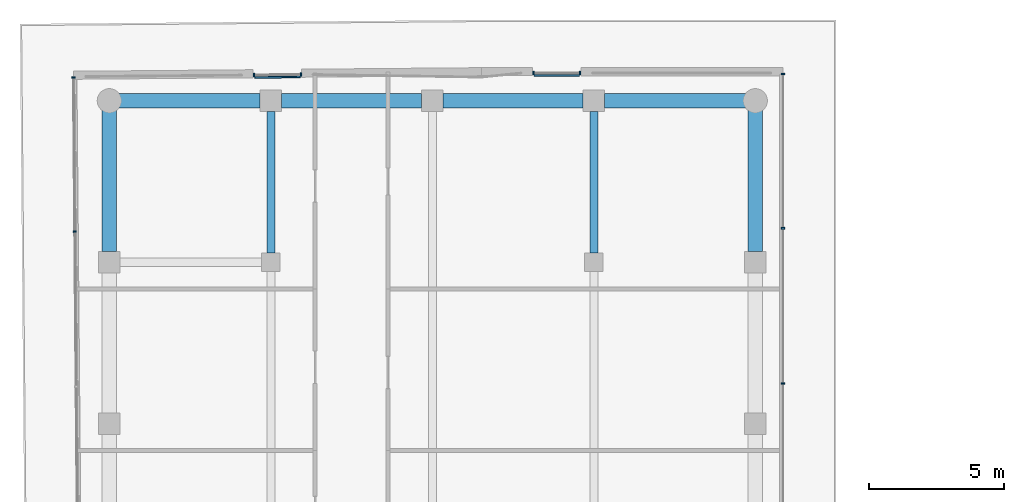
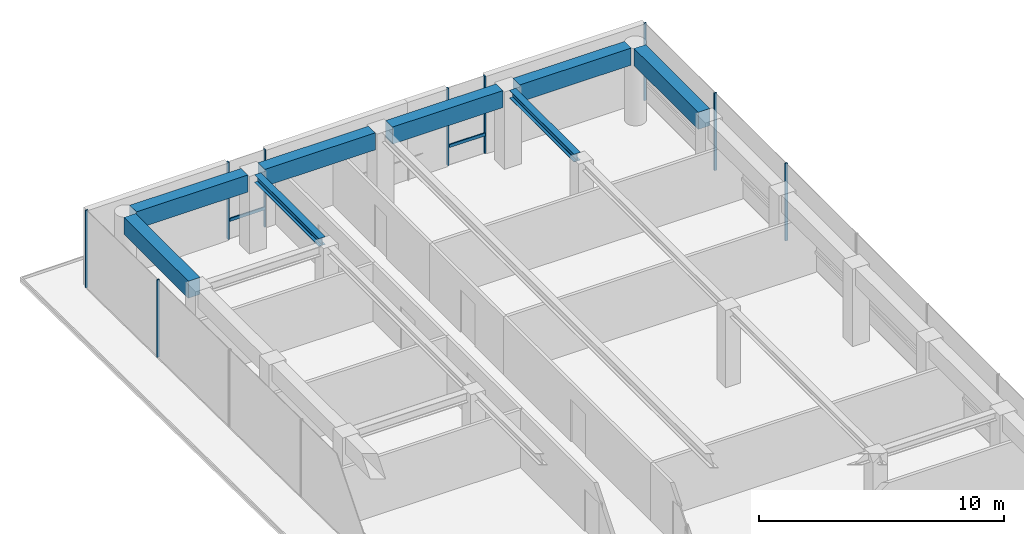
# One storey, part 12 of 19: 11 members, 8 beams, 4 elements without a shape of their own.
"""IFC4 building model written with IfcOpenShell, lengths in metres."""

from ifc_helpers import new_model, si_unit, direction, frame, origin, origin_2d, place, context, subcontext, project, spatial, rectangle, i_section, extrude, material, layer, layer_set, material_profile, profile_set, type_object, element, aggregate, save


model = new_model("IFC4")

# Units and contexts
model_context = context("Model", 3, precision=1e-05, world=origin(), true_north=direction((0.0, 1.0)))
body_context = subcontext(model_context, "Body", "Model", "MODEL_VIEW")
ifc_project = project(units=[si_unit("LENGTHUNIT", "METRE"), si_unit("AREAUNIT", "SQUARE_METRE"), si_unit("VOLUMEUNIT", "CUBIC_METRE"), si_unit("PLANEANGLEUNIT", "RADIAN"), si_unit("MASSUNIT", "GRAM", prefix="KILO")], contexts=[model_context])

# Site, building, storey
site_placement = place(None, origin())
site = spatial("IfcSite", under=ifc_project, at=site_placement, CompositionType="ELEMENT")
building_placement = place(site_placement, origin())
building = spatial("IfcBuilding", under=site, at=building_placement, Name="Welwitschia Terrace Campus", CompositionType="ELEMENT")
storey_placement = place(building_placement, frame((0.0, 0.0, 226.39990234375)))
storey = spatial("IfcBuildingStorey", under=building, at=storey_placement, Name="L50", CompositionType="ELEMENT", Elevation=226.39990234375)

# Beams
ifc_material_1 = material(Name="Steel S355", Category="steel")
ifc_material_profile_1 = material_profile(ifc_material_1, i_section(OverallWidth=0.300048828125, OverallDepth=0.389892578125, WebThickness=0.010986328125, FlangeThickness=0.01904296875, FilletRadius=0.027099609375, at=origin_2d()))
ifc_profile_set_1 = profile_set([ifc_material_profile_1], Name="Steel S355")
beam_type_1 = type_object("IfcBeamType", Name="Interior girder HE 400 A", PredefinedType="BEAM", material=ifc_profile_set_1)
for number, where, z_axis, x_axis, name in (
    (1, (6.0, 64.3505859375, 3.655029296875), (0.0, 1.0, 0.0), (-1.0, 0.0, 0.0), "Girder GB5"),
    (2, (18.0, 64.3505859375, 3.655029296875), (0.0, 1.0, 0.0), (-1.0, 0.0, 0.0), "Girder GB5"),
):
    element("IfcBeam", number, at=place(storey_placement, frame(where, z_axis=z_axis, x_axis=x_axis)), inside=storey, type_object=beam_type_1, Name=name, PredefinedType="BEAM", context=body_context, shape_type="SweptSolid", body=[
        extrude(i_section(OverallWidth=0.300048828125, OverallDepth=0.389892578125, WebThickness=0.010986328125, FlangeThickness=0.01904296875, FilletRadius=0.027099609375, at=origin_2d()), origin(), (0.0, 0.0, 1.0), 5.259033203125),
    ])

# Curtain wall, members
ifc_material_2 = material(Name="Bronze anodised aluminium", Category="aluminium")
ifc_layer = layer(ifc_material_2, 0.1201171875)
ifc_layer_set = layer_set([ifc_layer], Name="Bronze anodised aluminium")
curtain_wall_type = type_object("IfcCurtainWallType", Name="Curtain wall CW2 tower 6000", PredefinedType="NOTDEFINED", material=ifc_layer_set)
curtain_wall_1_placement = place(storey_placement, origin())
curtain_wall_1 = element("IfcCurtainWall", 3, at=curtain_wall_1_placement, inside=storey, type_object=curtain_wall_type, Name="CW L50.0.0", PredefinedType="NOTDEFINED")
ifc_material_3 = material(Name="Bronze anodised aluminium", Category="aluminium")
ifc_material_profile_2 = material_profile(ifc_material_3, rectangle(XDim=0.1201171875, YDim=0.06005859375, at=origin_2d()))
ifc_profile_set_2 = profile_set([ifc_material_profile_2], Name="Bronze anodised aluminium")
member_type_1 = type_object("IfcMemberType", Name="Mullion 60x120", PredefinedType="MULLION", material=ifc_profile_set_2)
member_1_placement = place(storey_placement, frame((-1.33154296875, 70.86767578125, 0.0), z_axis=(0.0, 0.0, 1.0), x_axis=(0.999961923064, 0.008726535498, 0.0)))
member_1 = element("IfcMember", 4, at=member_1_placement, type_object=member_type_1, Name="Mullion L50.0.0.0", PredefinedType="MULLION", context=body_context, shape_type="SweptSolid", body=[
    extrude(rectangle(XDim=0.1201171875, YDim=0.06005859375, at=origin_2d()), origin(), (0.0, 0.0, 1.0), 3.85009765625),
])
member_2_placement = place(storey_placement, frame((-1.281494140625, 65.13525390625, 0.0), z_axis=(0.0, 0.0, 1.0), x_axis=(0.999961923064, 0.008726535498, 0.0)))
member_2 = element("IfcMember", 5, at=member_2_placement, type_object=member_type_1, Name="Mullion L50.0.0.1", PredefinedType="MULLION", context=body_context, shape_type="SweptSolid", body=[
    extrude(rectangle(XDim=0.1201171875, YDim=0.06005859375, at=origin_2d()), origin(), (0.0, 0.0, 1.0), 3.85009765625),
])
aggregate(curtain_wall_1, [member_1, member_2])

curtain_wall_2_placement = place(storey_placement, origin())
curtain_wall_2 = element("IfcCurtainWall", 6, at=curtain_wall_2_placement, inside=storey, type_object=curtain_wall_type, Name="CW L50.9.0", PredefinedType="NOTDEFINED")
member_3_placement = place(storey_placement, frame((25.030029296875, 59.498779296875, 0.0), z_axis=(0.0, 0.0, 1.0), x_axis=(-1.0, 0.0, 0.0)))
member_3 = element("IfcMember", 7, at=member_3_placement, type_object=member_type_1, Name="Mullion L50.9.0.4", PredefinedType="MULLION", context=body_context, shape_type="SweptSolid", body=[
    extrude(rectangle(XDim=0.1201171875, YDim=0.06005859375, at=origin_2d()), origin(), (0.0, 0.0, 1.0), 3.85009765625),
])
member_4_placement = place(storey_placement, frame((25.030029296875, 65.264404296875, 0.0), z_axis=(0.0, 0.0, 1.0), x_axis=(-1.0, 0.0, 0.0)))
member_4 = element("IfcMember", 8, at=member_4_placement, type_object=member_type_1, Name="Mullion L50.9.0.5", PredefinedType="MULLION", context=body_context, shape_type="SweptSolid", body=[
    extrude(rectangle(XDim=0.1201171875, YDim=0.06005859375, at=origin_2d()), origin(), (0.0, 0.0, 1.0), 3.85009765625),
])
member_5_placement = place(storey_placement, frame((25.030029296875, 71.0, 0.0), z_axis=(0.0, 0.0, 1.0), x_axis=(-1.0, 0.0, 0.0)))
member_5 = element("IfcMember", 9, at=member_5_placement, type_object=member_type_1, Name="Mullion L50.9.0.6", PredefinedType="MULLION", context=body_context, shape_type="SweptSolid", body=[
    extrude(rectangle(XDim=0.1201171875, YDim=0.06005859375, at=origin_2d()), origin(), (0.0, 0.0, 1.0), 3.85009765625),
])
aggregate(curtain_wall_2, [member_3, member_4, member_5])

curtain_wall_3_placement = place(storey_placement, origin())
curtain_wall_3 = element("IfcCurtainWall", 10, at=curtain_wall_3_placement, inside=storey, type_object=curtain_wall_type, Name="CW L50.10.S0", PredefinedType="NOTDEFINED")
member_6_placement = place(storey_placement, frame((17.493896484375, 71.030029296875, 0.0), z_axis=(0.0, 0.0, 1.0), x_axis=(0.0, -1.0, 0.0)))
member_6 = element("IfcMember", 11, at=member_6_placement, type_object=member_type_1, Name="Mullion L50.10.S0.0", PredefinedType="MULLION", context=body_context, shape_type="SweptSolid", body=[
    extrude(rectangle(XDim=0.1201171875, YDim=0.06005859375, at=origin_2d()), origin(), (0.0, 0.0, 1.0), 3.85009765625),
])
member_7_placement = place(storey_placement, frame((15.75390625, 71.030029296875, 0.0), z_axis=(0.0, 0.0, 1.0), x_axis=(0.0, -1.0, 0.0)))
member_7 = element("IfcMember", 12, at=member_7_placement, type_object=member_type_1, Name="Mullion L50.10.S0.1", PredefinedType="MULLION", context=body_context, shape_type="SweptSolid", body=[
    extrude(rectangle(XDim=0.1201171875, YDim=0.06005859375, at=origin_2d()), origin(), (0.0, 0.0, 1.0), 3.85009765625),
])

curtain_wall_4_placement = place(storey_placement, origin())
curtain_wall_4 = element("IfcCurtainWall", 13, at=curtain_wall_4_placement, inside=storey, type_object=curtain_wall_type, Name="CW L50.11.S0", PredefinedType="NOTDEFINED")
member_8_placement = place(storey_placement, frame((7.114990234375, 70.971435546875, 0.0), z_axis=(0.0, 0.0, 1.0), x_axis=(0.008726535498, -0.999961923064, 0.0)))
member_8 = element("IfcMember", 14, at=member_8_placement, type_object=member_type_1, Name="Mullion L50.11.S0.0", PredefinedType="MULLION", context=body_context, shape_type="SweptSolid", body=[
    extrude(rectangle(XDim=0.1201171875, YDim=0.06005859375, at=origin_2d()), origin(), (0.0, 0.0, 1.0), 3.85009765625),
])
member_9_placement = place(storey_placement, frame((5.375, 70.956298828125, 0.0), z_axis=(0.0, 0.0, 1.0), x_axis=(0.008726535498, -0.999961923064, 0.0)))
member_9 = element("IfcMember", 15, at=member_9_placement, type_object=member_type_1, Name="Mullion L50.11.S0.1", PredefinedType="MULLION", context=body_context, shape_type="SweptSolid", body=[
    extrude(rectangle(XDim=0.1201171875, YDim=0.06005859375, at=origin_2d()), origin(), (0.0, 0.0, 1.0), 3.85009765625),
])

# Beams
ifc_material_4 = material(Name="Concrete C50/60", Category="concrete")
ifc_material_profile_3 = material_profile(ifc_material_4, rectangle(XDim=0.550048828125, YDim=0.85009765625, at=origin_2d()))
ifc_profile_set_3 = profile_set([ifc_material_profile_3], Name="Concrete C50/60")
beam_type_2 = type_object("IfcBeamType", Name="Ring spandrel 550x850", PredefinedType="SPANDREL", material=ifc_profile_set_3)
for number, where, z_axis, x_axis, name in (
    (16, (24.0, 64.400390625, 3.425048828125), (0.0, 1.0, 0.0), (-1.0, 0.0, 0.0), "Spandrel SP3"),
    (17, (23.64306640625, 70.0, 3.425048828125), (-1.0, 0.0, 0.0), (0.0, -1.0, 0.0), "Spandrel SP3"),
):
    element("IfcBeam", number, at=place(storey_placement, frame(where, z_axis=z_axis, x_axis=x_axis)), inside=storey, type_object=beam_type_2, Name=name, PredefinedType="SPANDREL", context=body_context, shape_type="SweptSolid", body=[
        extrude(rectangle(XDim=0.550048828125, YDim=0.85009765625, at=origin_2d()), origin(), (0.0, 0.0, 1.0), 5.24267578125),
    ])
for number, where, z_axis, x_axis, name in (
    (18, (17.599609375, 70.0, 3.425048828125), (-1.0, 0.0, 0.0), (0.0, -1.0, 0.0), "Spandrel SP3"),
    (19, (11.599609375, 70.0, 3.425048828125), (-1.0, 0.0, 0.0), (0.0, -1.0, 0.0), "Spandrel SP3"),
):
    element("IfcBeam", number, at=place(storey_placement, frame(where, z_axis=z_axis, x_axis=x_axis)), inside=storey, type_object=beam_type_2, Name=name, PredefinedType="SPANDREL", context=body_context, shape_type="SweptSolid", body=[
        extrude(rectangle(XDim=0.550048828125, YDim=0.85009765625, at=origin_2d()), origin(), (0.0, 0.0, 1.0), 5.19921875),
    ])
for number, where, z_axis, x_axis, name in (
    (20, (5.599609375, 70.0, 3.425048828125), (-1.0, 0.0, 0.0), (0.0, -1.0, 0.0), "Spandrel SP3"),
    (21, (0.0, 69.64306640625, 3.425048828125), (0.0, -1.0, 0.0), (1.0, 0.0, 0.0), "Spandrel SP3"),
):
    element("IfcBeam", number, at=place(storey_placement, frame(where, z_axis=z_axis, x_axis=x_axis)), inside=storey, type_object=beam_type_2, Name=name, PredefinedType="SPANDREL", context=body_context, shape_type="SweptSolid", body=[
        extrude(rectangle(XDim=0.550048828125, YDim=0.85009765625, at=origin_2d()), origin(), (0.0, 0.0, 1.0), 5.24267578125),
    ])

# Member
ifc_material_5 = material(Name="Bronze anodised aluminium", Category="aluminium")
ifc_material_profile_4 = material_profile(ifc_material_5, rectangle(XDim=0.06005859375, YDim=0.14990234375, at=origin_2d()))
ifc_profile_set_4 = profile_set([ifc_material_profile_4], Name="Bronze anodised aluminium")
member_type_2 = type_object("IfcMemberType", Name="Transom 60x150", PredefinedType="USERDEFINED", material=ifc_profile_set_4)
member_10_placement = place(storey_placement, frame((17.4638671875, 70.93994140625, 1.0), z_axis=(-1.0, 0.0, 0.0), x_axis=(0.0, -1.0, 0.0)))
member_10 = element("IfcMember", 22, at=member_10_placement, type_object=member_type_2, Name="Transom L50.10.S0", ObjectType="TRANSOM", PredefinedType="USERDEFINED", context=body_context, shape_type="SweptSolid", body=[
    extrude(rectangle(XDim=0.06005859375, YDim=0.14990234375, at=origin_2d()), origin(), (0.0, 0.0, 1.0), 1.679931640625),
])

aggregate(curtain_wall_3, [member_6, member_7, member_10])

member_11_placement = place(storey_placement, frame((7.085693359375, 70.881103515625, 1.0), z_axis=(-0.999961985908, -0.00871933137, 0.0), x_axis=(0.00871933137, -0.999961985908, 0.0)))
member_11 = element("IfcMember", 23, at=member_11_placement, type_object=member_type_2, Name="Transom L50.11.S0", ObjectType="TRANSOM", PredefinedType="USERDEFINED", context=body_context, shape_type="SweptSolid", body=[
    extrude(rectangle(XDim=0.06005859375, YDim=0.14990234375, at=origin_2d()), origin(), (0.0, 0.0, 1.0), 1.679931640625),
])

aggregate(curtain_wall_4, [member_8, member_9, member_11])

save(model, "model.ifc")
